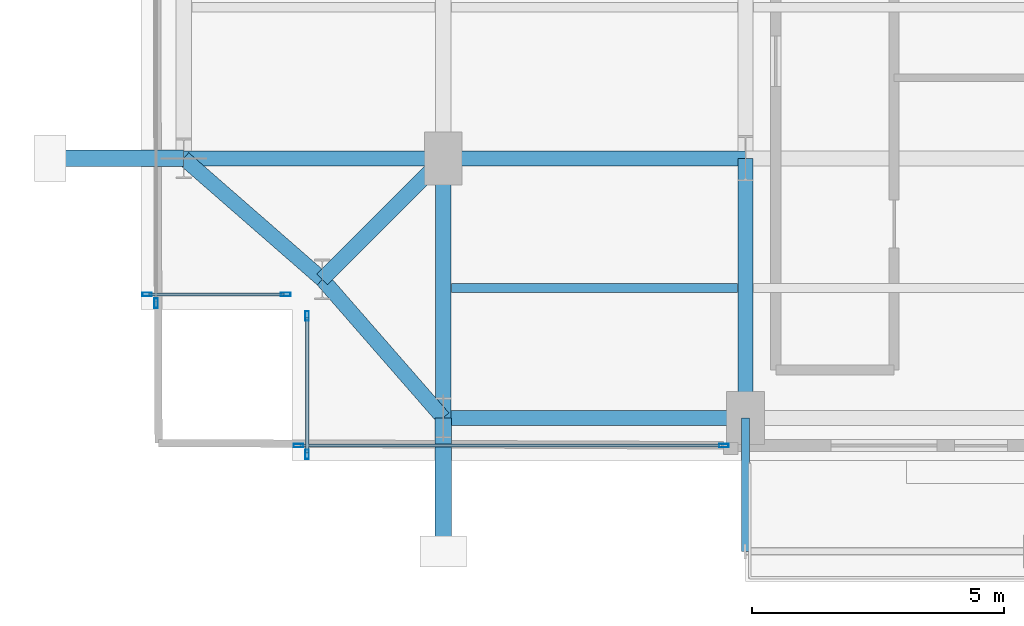
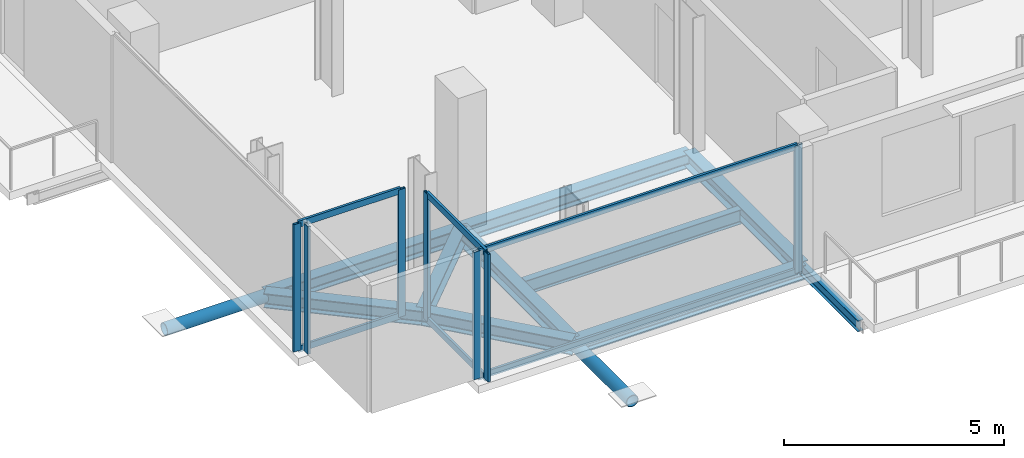
# One storey, part 2 of 21: 15 members, 10 beams, 4 elements without a shape of their own.
"""IFC4 building model written with IfcOpenShell, lengths in metres."""

from ifc_helpers import new_model, si_unit, direction, frame, origin, origin_2d, place, context, subcontext, project, spatial, hollow_rectangle, hollow_circle, i_section, extrude, material, layer, layer_set, material_profile, profile_set, type_object, element, aggregate, save


model = new_model("IFC4")

# Units and contexts
model_context = context("Model", 3, precision=1e-05, world=origin(), true_north=direction((0.0, 1.0)))
body_context = subcontext(model_context, "Body", "Model", "MODEL_VIEW")
ifc_project = project(units=[si_unit("LENGTHUNIT", "METRE"), si_unit("AREAUNIT", "SQUARE_METRE"), si_unit("VOLUMEUNIT", "CUBIC_METRE"), si_unit("PLANEANGLEUNIT", "RADIAN"), si_unit("MASSUNIT", "GRAM", prefix="KILO"), si_unit("THERMODYNAMICTEMPERATUREUNIT", "KELVIN"), si_unit("POWERUNIT", "WATT")], contexts=[model_context])

# Site, building, storey
site_placement = place(None, origin())
site = spatial("IfcSite", under=ifc_project, at=site_placement, CompositionType="ELEMENT")
building_placement = place(site_placement, origin())
building = spatial("IfcBuilding", under=site, at=building_placement, Name="Svarakhadi Broadcast Tower", CompositionType="ELEMENT")
storey_placement = place(building_placement, frame((0.0, 0.0, 219.89990234375)))
storey = spatial("IfcBuildingStorey", under=building, at=storey_placement, Name="L54", CompositionType="ELEMENT", Elevation=219.89990234375)

# Beam
ifc_material_1 = material(Name="Steel S355J2 (IS 2062 E350C)", Category="steel")
ifc_material_profile_1 = material_profile(ifc_material_1, i_section(OverallWidth=0.179931640625, OverallDepth=0.39990234375, WebThickness=0.008544921875, FlangeThickness=0.013427734375, FilletRadius=0.02099609375, at=origin_2d()), Name="NPB 400x180x66")
ifc_profile_set_1 = profile_set([ifc_material_profile_1], Name="Steel S355J2 (IS 2062 E350C)")
beam_type_1 = type_object("IfcBeamType", Name="Beam_NPB400", PredefinedType="BEAM", material=ifc_profile_set_1)
beam_1_placement = place(storey_placement, frame((6.159912109375, 3.425048828125, -0.409912109375), z_axis=(1.0, 0.0, 0.0), x_axis=(0.0, 1.0, 0.0)))
element("IfcBeam", 1, at=beam_1_placement, inside=storey, type_object=beam_type_1, Name="L54 Secondary Composite Beam SB005", PredefinedType="BEAM", context=body_context, shape_type="SweptSolid", body=[
    extrude(i_section(OverallWidth=0.179931640625, OverallDepth=0.39990234375, WebThickness=0.008544921875, FlangeThickness=0.013427734375, FilletRadius=0.02099609375, at=origin_2d()), origin(), (0.0, 0.0, 1.0), 5.68017578125),
])

# Curtain wall, members
ifc_material_2 = material(Name="Anodised Bronze Aluminium AA 6063-T6", Category="aluminium")
ifc_layer = layer(ifc_material_2, 0.18994140625)
ifc_layer_set = layer_set([ifc_layer], Name="Anodised Bronze Aluminium AA 6063-T6")
curtain_wall_type = type_object("IfcCurtainWallType", Name="CW_Sys_04", PredefinedType="NOTDEFINED", material=ifc_layer_set)
curtain_wall_1_placement = place(storey_placement, origin())
curtain_wall_1 = element("IfcCurtainWall", 2, at=curtain_wall_1_placement, inside=storey, type_object=curtain_wall_type, Name="L54 Unitised Facade Curtain Wall 01", PredefinedType="NOTDEFINED")
ifc_material_profile_2 = material_profile(ifc_material_2, hollow_rectangle(XDim=0.070068359375, YDim=0.18994140625, WallThickness=0.005615234375, at=origin_2d()), Name="ALU MULLION 190x70x6")
ifc_profile_set_2 = profile_set([ifc_material_profile_2], Name="Anodised Bronze Aluminium AA 6063-T6")
member_type_1 = type_object("IfcMemberType", Name="CW_Sys_04_Mul", PredefinedType="MULLION", material=ifc_profile_set_2)
member_1_placement = place(storey_placement, frame((2.875, 3.300048828125, 0.0), z_axis=(0.0, 0.0, 1.0), x_axis=(0.0, -1.0, 0.0)))
member_1 = element("IfcMember", 3, at=member_1_placement, type_object=member_type_1, Name="CW-04 mullion 1", PredefinedType="MULLION", context=body_context, shape_type="SweptSolid", body=[
    extrude(hollow_rectangle(XDim=0.070068359375, YDim=0.18994140625, WallThickness=0.005615234375, at=origin_2d()), origin(), (0.0, 0.0, 1.0), 3.5400390625),
])
member_2_placement = place(storey_placement, frame((0.125, 3.300048828125, 0.0), z_axis=(0.0, 0.0, 1.0), x_axis=(0.0, -1.0, 0.0)))
member_2 = element("IfcMember", 4, at=member_2_placement, type_object=member_type_1, Name="CW-04 mullion 2", PredefinedType="MULLION", context=body_context, shape_type="SweptSolid", body=[
    extrude(hollow_rectangle(XDim=0.070068359375, YDim=0.18994140625, WallThickness=0.005615234375, at=origin_2d()), origin(), (0.0, 0.0, 1.0), 3.5400390625),
])

# Curtain wall, member
curtain_wall_2_placement = place(storey_placement, origin())
curtain_wall_2 = element("IfcCurtainWall", 5, at=curtain_wall_2_placement, inside=storey, type_object=curtain_wall_type, Name="L54 West Curtain Wall 02", PredefinedType="NOTDEFINED")
member_3_placement = place(storey_placement, frame((0.300048828125, 3.125, 0.0), z_axis=(0.0, 0.0, 1.0), x_axis=(-1.0, 0.0, 0.0)))
member_3 = element("IfcMember", 6, at=member_3_placement, type_object=member_type_1, Name="CW-04 mullion 1", PredefinedType="MULLION", context=body_context, shape_type="SweptSolid", body=[
    extrude(hollow_rectangle(XDim=0.070068359375, YDim=0.18994140625, WallThickness=0.005615234375, at=origin_2d()), origin(), (0.0, 0.0, 1.0), 3.5400390625),
])
aggregate(curtain_wall_2, [member_3])

# Curtain wall, members
curtain_wall_3_placement = place(storey_placement, origin())
curtain_wall_3 = element("IfcCurtainWall", 7, at=curtain_wall_3_placement, inside=storey, type_object=curtain_wall_type, Name="L54 South Curtain Wall 17", PredefinedType="NOTDEFINED")
member_4_placement = place(storey_placement, frame((11.570068359375, 0.300048828125, 0.0), z_axis=(0.0, 0.0, 1.0), x_axis=(0.0, -1.0, 0.0)))
member_4 = element("IfcMember", 8, at=member_4_placement, type_object=member_type_1, Name="CW-04 mullion 1", PredefinedType="MULLION", context=body_context, shape_type="SweptSolid", body=[
    extrude(hollow_rectangle(XDim=0.070068359375, YDim=0.18994140625, WallThickness=0.005615234375, at=origin_2d()), origin(), (0.0, 0.0, 1.0), 3.5400390625),
])
member_5_placement = place(storey_placement, frame((3.125, 0.300048828125, 0.0), z_axis=(0.0, 0.0, 1.0), x_axis=(0.0, -1.0, 0.0)))
member_5 = element("IfcMember", 9, at=member_5_placement, type_object=member_type_1, Name="CW-04 mullion 2", PredefinedType="MULLION", context=body_context, shape_type="SweptSolid", body=[
    extrude(hollow_rectangle(XDim=0.070068359375, YDim=0.18994140625, WallThickness=0.005615234375, at=origin_2d()), origin(), (0.0, 0.0, 1.0), 3.5400390625),
])

curtain_wall_4_placement = place(storey_placement, origin())
curtain_wall_4 = element("IfcCurtainWall", 10, at=curtain_wall_4_placement, inside=storey, type_object=curtain_wall_type, Name="L54 Unitised Facade Curtain Wall 18", PredefinedType="NOTDEFINED")
member_6_placement = place(storey_placement, frame((3.300048828125, 0.125, 0.0), z_axis=(0.0, 0.0, 1.0), x_axis=(-1.0, 0.0, 0.0)))
member_6 = element("IfcMember", 11, at=member_6_placement, type_object=member_type_1, Name="CW-04 mullion 1", PredefinedType="MULLION", context=body_context, shape_type="SweptSolid", body=[
    extrude(hollow_rectangle(XDim=0.070068359375, YDim=0.18994140625, WallThickness=0.005615234375, at=origin_2d()), origin(), (0.0, 0.0, 1.0), 3.5400390625),
])
member_7_placement = place(storey_placement, frame((3.300048828125, 2.875, 0.0), z_axis=(0.0, 0.0, 1.0), x_axis=(-1.0, 0.0, 0.0)))
member_7 = element("IfcMember", 12, at=member_7_placement, type_object=member_type_1, Name="CW-04 mullion 2", PredefinedType="MULLION", context=body_context, shape_type="SweptSolid", body=[
    extrude(hollow_rectangle(XDim=0.070068359375, YDim=0.18994140625, WallThickness=0.005615234375, at=origin_2d()), origin(), (0.0, 0.0, 1.0), 3.5400390625),
])

# Member
ifc_material_profile_3 = material_profile(ifc_material_2, hollow_rectangle(XDim=0.06494140625, YDim=0.175048828125, WallThickness=0.0048828125, at=origin_2d()), Name="ALU TRANSOM 175x65x5")
ifc_profile_set_3 = profile_set([ifc_material_profile_3], Name="Anodised Bronze Aluminium AA 6063-T6")
member_type_2 = type_object("IfcMemberType", Name="CW_Sys_04_Trn", PredefinedType="USERDEFINED", material=ifc_profile_set_3)
member_8_placement = place(storey_placement, frame((2.840087890625, 3.300048828125, 0.03271484375), z_axis=(-1.0, 0.0, 0.0), x_axis=(0.0, -1.0, 0.0)))
member_8 = element("IfcMember", 13, at=member_8_placement, type_object=member_type_2, Name="CW-04 transom 1.1", ObjectType="TRANSOM", PredefinedType="USERDEFINED", context=body_context, shape_type="SweptSolid", body=[
    extrude(hollow_rectangle(XDim=0.06494140625, YDim=0.175048828125, WallThickness=0.0048828125, at=origin_2d()), origin(), (0.0, 0.0, 1.0), 2.68017578125),
])

member_9_placement = place(storey_placement, frame((2.840087890625, 3.300048828125, 3.507568359375), z_axis=(-1.0, 0.0, 0.0), x_axis=(0.0, -1.0, 0.0)))
member_9 = element("IfcMember", 14, at=member_9_placement, type_object=member_type_2, Name="CW-04 transom 1.2", ObjectType="TRANSOM", PredefinedType="USERDEFINED", context=body_context, shape_type="SweptSolid", body=[
    extrude(hollow_rectangle(XDim=0.06494140625, YDim=0.175048828125, WallThickness=0.0048828125, at=origin_2d()), origin(), (0.0, 0.0, 1.0), 2.68017578125),
])

aggregate(curtain_wall_1, [member_1, member_2, member_8, member_9])

member_10_placement = place(storey_placement, frame((11.534912109375, 0.300048828125, 0.03271484375), z_axis=(-1.0, 0.0, 0.0), x_axis=(0.0, -1.0, 0.0)))
member_10 = element("IfcMember", 15, at=member_10_placement, type_object=member_type_2, Name="CW-04 transom 1.1", ObjectType="TRANSOM", PredefinedType="USERDEFINED", context=body_context, shape_type="SweptSolid", body=[
    extrude(hollow_rectangle(XDim=0.06494140625, YDim=0.175048828125, WallThickness=0.0048828125, at=origin_2d()), origin(), (0.0, 0.0, 1.0), 8.375),
])

member_11_placement = place(storey_placement, frame((11.534912109375, 0.300048828125, 3.507568359375), z_axis=(-1.0, 0.0, 0.0), x_axis=(0.0, -1.0, 0.0)))
member_11 = element("IfcMember", 16, at=member_11_placement, type_object=member_type_2, Name="CW-04 transom 1.2", ObjectType="TRANSOM", PredefinedType="USERDEFINED", context=body_context, shape_type="SweptSolid", body=[
    extrude(hollow_rectangle(XDim=0.06494140625, YDim=0.175048828125, WallThickness=0.0048828125, at=origin_2d()), origin(), (0.0, 0.0, 1.0), 8.375),
])

aggregate(curtain_wall_3, [member_4, member_5, member_10, member_11])

member_12_placement = place(storey_placement, frame((3.300048828125, 0.159912109375, 0.03271484375), z_axis=(0.0, 1.0, 0.0), x_axis=(-1.0, 0.0, 0.0)))
member_12 = element("IfcMember", 17, at=member_12_placement, type_object=member_type_2, Name="CW-04 transom 1.1", ObjectType="TRANSOM", PredefinedType="USERDEFINED", context=body_context, shape_type="SweptSolid", body=[
    extrude(hollow_rectangle(XDim=0.06494140625, YDim=0.175048828125, WallThickness=0.0048828125, at=origin_2d()), origin(), (0.0, 0.0, 1.0), 2.68017578125),
])

member_13_placement = place(storey_placement, frame((3.300048828125, 0.159912109375, 3.507568359375), z_axis=(0.0, 1.0, 0.0), x_axis=(-1.0, 0.0, 0.0)))
member_13 = element("IfcMember", 18, at=member_13_placement, type_object=member_type_2, Name="CW-04 transom 1.2", ObjectType="TRANSOM", PredefinedType="USERDEFINED", context=body_context, shape_type="SweptSolid", body=[
    extrude(hollow_rectangle(XDim=0.06494140625, YDim=0.175048828125, WallThickness=0.0048828125, at=origin_2d()), origin(), (0.0, 0.0, 1.0), 2.68017578125),
])

aggregate(curtain_wall_4, [member_6, member_7, member_12, member_13])

# Members
ifc_material_3 = material(Name="Steel S460ML (IS 2062 E450BR)", Category="steel")
ifc_material_profile_4 = material_profile(ifc_material_3, hollow_circle(Radius=0.161865234375, WallThickness=0.01611328125, at=origin_2d()), Name="CHS 323.9x16")
ifc_profile_set_4 = profile_set([ifc_material_profile_4], Name="Steel S460ML (IS 2062 E450BR)")
member_type_3 = type_object("IfcMemberType", Name="Exo_Radial_Strut_Z2", PredefinedType="STRUT", material=ifc_profile_set_4)
for number, where, z_axis, x_axis, name in (
    (19, (6.0, -1.800048828125, -0.371826171875), (0.0, 1.0, 0.0), (-1.0, 0.0, 0.0), "L54 Exoskeleton Radial Tie Strut S01"),
    (20, (-1.800048828125, 6.0, -0.371826171875), (1.0, 0.0, 0.0), (0.0, 1.0, 0.0), "L54 Exoskeleton Radial Tie Strut W04"),
):
    element("IfcMember", number, at=place(storey_placement, frame(where, z_axis=z_axis, x_axis=x_axis)), inside=storey, type_object=member_type_3, Name=name, PredefinedType="STRUT", context=body_context, shape_type="SweptSolid", body=[
        extrude(hollow_circle(Radius=0.161865234375, WallThickness=0.01611328125, at=origin_2d()), origin(), (0.0, 0.0, 1.0), 2.650146484375),
    ])

# Beams
ifc_material_profile_5 = material_profile(ifc_material_1, i_section(OverallWidth=0.300048828125, OverallDepth=0.39990234375, WebThickness=0.013427734375, FlangeThickness=0.02392578125, FilletRadius=0.027099609375, at=origin_2d()), Name="WPB 400x300x155")
ifc_profile_set_5 = profile_set([ifc_material_profile_5], Name="Steel S355J2 (IS 2062 E350C)")
beam_type_2 = type_object("IfcBeamType", Name="Girder_WPB400", PredefinedType="USERDEFINED", material=ifc_profile_set_5)
beam_2_placement = place(storey_placement, frame((3.60009765625, 3.60009765625, -0.409912109375), z_axis=(0.707106781187, 0.707106781187, 0.0), x_axis=(-0.707106781187, 0.707106781187, 0.0)))
element("IfcBeam", 21, at=beam_2_placement, inside=storey, type_object=beam_type_2, Name="L54 Corner Tie Girder G001", ObjectType="GIRDER", PredefinedType="USERDEFINED", context=body_context, shape_type="SweptSolid", body=[
    extrude(i_section(OverallWidth=0.300048828125, OverallDepth=0.39990234375, WebThickness=0.013427734375, FlangeThickness=0.02392578125, FilletRadius=0.027099609375, at=origin_2d()), origin(), (0.0, 0.0, 1.0), 3.39404296875),
])
for number, where, z_axis, x_axis, name in (
    (22, (3.60009765625, 3.60009765625, -0.409912109375), (-0.753437912176, 0.657519058655, 0.0), (-0.657519058655, -0.753437912176, 0.0), "L54 Corner Tie Girder G002"),
    (23, (3.60009765625, 3.60009765625, -0.409912109375), (0.657519058655, -0.753437912176, 0.0), (0.753437912176, 0.657519058655, 0.0), "L54 Corner Tie Girder G003"),
):
    element("IfcBeam", number, at=place(storey_placement, frame(where, z_axis=z_axis, x_axis=x_axis)), inside=storey, type_object=beam_type_2, Name=name, ObjectType="GIRDER", PredefinedType="USERDEFINED", context=body_context, shape_type="SweptSolid", body=[
        extrude(i_section(OverallWidth=0.300048828125, OverallDepth=0.39990234375, WebThickness=0.013427734375, FlangeThickness=0.02392578125, FilletRadius=0.027099609375, at=origin_2d()), origin(), (0.0, 0.0, 1.0), 3.64990234375),
    ])
beam_3_placement = place(storey_placement, frame((6.0, 0.85009765625, -0.409912109375), z_axis=(1.0, 0.0, 0.0), x_axis=(0.0, 1.0, 0.0)))
element("IfcBeam", 24, at=beam_3_placement, inside=storey, type_object=beam_type_2, Name="L54 Primary E-W Girder G004", ObjectType="GIRDER", PredefinedType="USERDEFINED", context=body_context, shape_type="SweptSolid", body=[
    extrude(i_section(OverallWidth=0.300048828125, OverallDepth=0.39990234375, WebThickness=0.013427734375, FlangeThickness=0.02392578125, FilletRadius=0.027099609375, at=origin_2d()), origin(), (0.0, 0.0, 1.0), 6.0),
])
beam_4_placement = place(storey_placement, frame((0.85009765625, 6.0, -0.409912109375), z_axis=(1.0, 0.0, 0.0), x_axis=(0.0, 1.0, 0.0)))
element("IfcBeam", 25, at=beam_4_placement, inside=storey, type_object=beam_type_2, Name="L54 Primary E-W Girder G009", ObjectType="GIRDER", PredefinedType="USERDEFINED", context=body_context, shape_type="SweptSolid", body=[
    extrude(i_section(OverallWidth=0.300048828125, OverallDepth=0.39990234375, WebThickness=0.013427734375, FlangeThickness=0.02392578125, FilletRadius=0.027099609375, at=origin_2d()), origin(), (0.0, 0.0, 1.0), 5.14990234375),
])
beam_5_placement = place(storey_placement, frame((6.0, 6.0, -0.409912109375), z_axis=(1.0, 0.0, 0.0), x_axis=(0.0, 1.0, 0.0)))
element("IfcBeam", 26, at=beam_5_placement, inside=storey, type_object=beam_type_2, Name="L54 Primary E-W Girder G010", ObjectType="GIRDER", PredefinedType="USERDEFINED", context=body_context, shape_type="SweptSolid", body=[
    extrude(i_section(OverallWidth=0.300048828125, OverallDepth=0.39990234375, WebThickness=0.013427734375, FlangeThickness=0.02392578125, FilletRadius=0.027099609375, at=origin_2d()), origin(), (0.0, 0.0, 1.0), 6.0),
])
for number, where, z_axis, x_axis, name in (
    (27, (6.0, 0.85009765625, -0.409912109375), (0.0, 1.0, 0.0), (-1.0, 0.0, 0.0), "L54 Primary N-S Girder G037"),
    (28, (12.0, 0.85009765625, -0.409912109375), (0.0, 1.0, 0.0), (-1.0, 0.0, 0.0), "L54 Primary N-S Girder G042"),
):
    element("IfcBeam", number, at=place(storey_placement, frame(where, z_axis=z_axis, x_axis=x_axis)), inside=storey, type_object=beam_type_2, Name=name, ObjectType="GIRDER", PredefinedType="USERDEFINED", context=body_context, shape_type="SweptSolid", body=[
        extrude(i_section(OverallWidth=0.300048828125, OverallDepth=0.39990234375, WebThickness=0.013427734375, FlangeThickness=0.02392578125, FilletRadius=0.027099609375, at=origin_2d()), origin(), (0.0, 0.0, 1.0), 5.14990234375),
    ])
ifc_material_profile_6 = material_profile(ifc_material_1, i_section(OverallWidth=0.14990234375, OverallDepth=0.300048828125, WebThickness=0.007080078125, FlangeThickness=0.0107421875, FilletRadius=0.014892578125, at=origin_2d()), Name="NPB 300x150x37")
ifc_profile_set_6 = profile_set([ifc_material_profile_6], Name="Steel S355J2 (IS 2062 E350C)")
beam_type_3 = type_object("IfcBeamType", Name="Spandrel_NPB300", PredefinedType="SPANDREL", material=ifc_profile_set_6)
beam_6_placement = place(storey_placement, frame((12.0, 0.85009765625, -0.375), z_axis=(0.0, -1.0, 0.0), x_axis=(1.0, 0.0, 0.0)))
element("IfcBeam", 29, at=beam_6_placement, inside=storey, type_object=beam_type_3, Name="L54 Balcony Cantilever Bracket 1A", PredefinedType="SPANDREL", context=body_context, shape_type="SweptSolid", body=[
    extrude(i_section(OverallWidth=0.14990234375, OverallDepth=0.300048828125, WebThickness=0.007080078125, FlangeThickness=0.0107421875, FilletRadius=0.014892578125, at=origin_2d()), origin(), (0.0, 0.0, 1.0), 2.650146484375),
])

save(model, "model.ifc")
